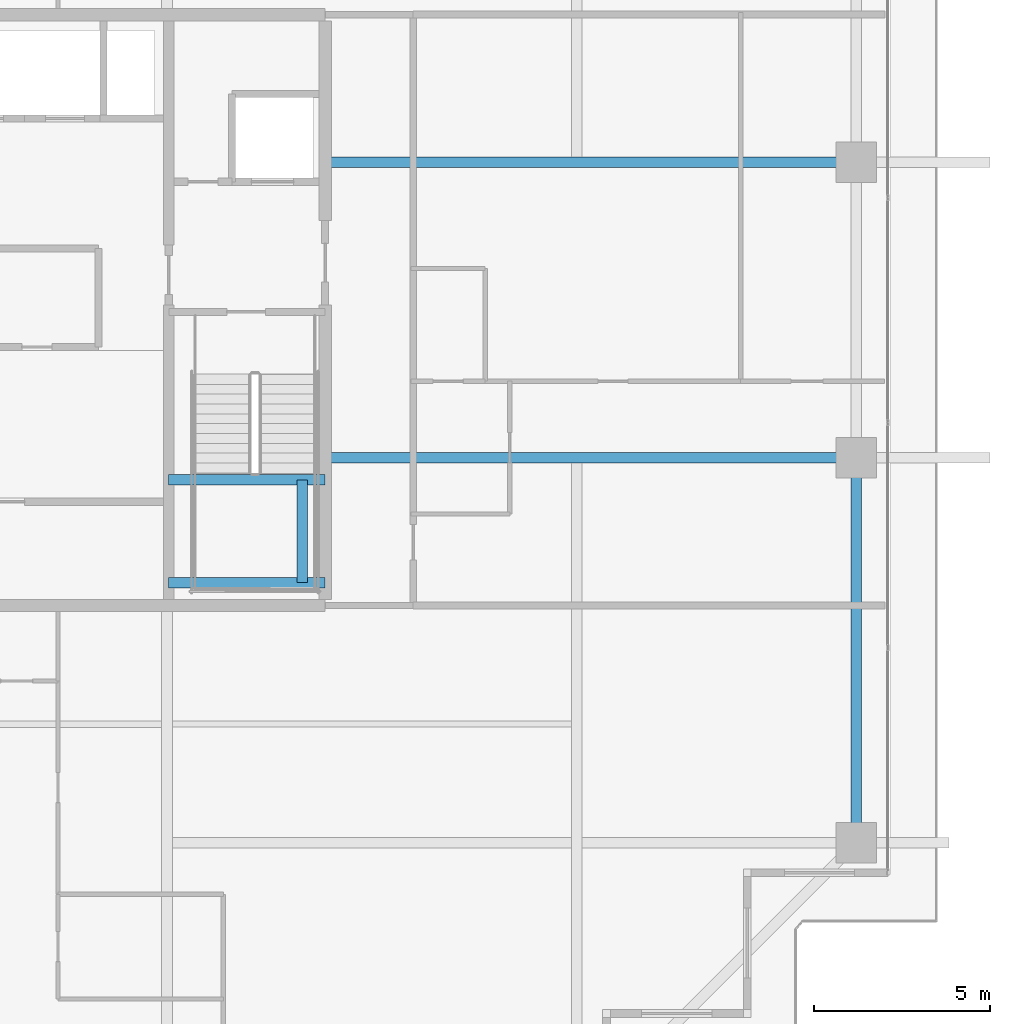
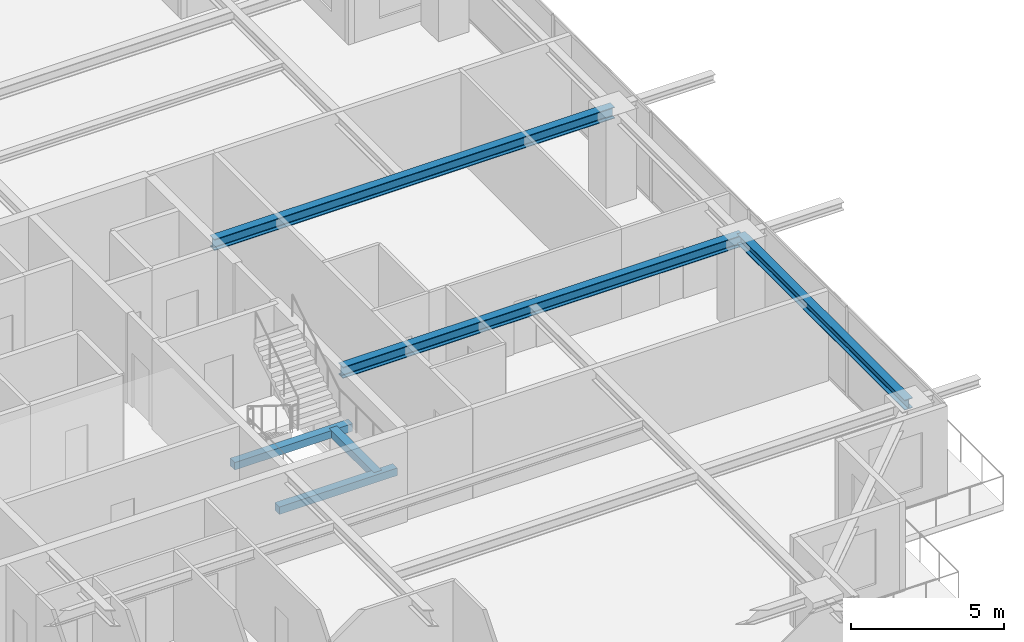
# One storey, part 15 of 36: 6 beams.
"""IFC4 building model written with IfcOpenShell, lengths in metres."""

from ifc_helpers import new_model, si_unit, direction, frame, origin, origin_2d, place, context, subcontext, project, spatial, rectangle, i_section, extrude, source, transform, mapped, material, material_profile, profile_set, type_object, element, save


model = new_model("IFC4")

# Units and contexts
model_context = context("Model", 3, precision=1e-05, world=origin(), true_north=direction((0.0, 1.0)))
body_context = subcontext(model_context, "Body", "Model", "MODEL_VIEW")
ifc_project = project(units=[si_unit("LENGTHUNIT", "METRE"), si_unit("AREAUNIT", "SQUARE_METRE"), si_unit("VOLUMEUNIT", "CUBIC_METRE"), si_unit("PLANEANGLEUNIT", "RADIAN"), si_unit("MASSUNIT", "GRAM", prefix="KILO")], contexts=[model_context])

# Site, building, storey
site_placement = place(None, origin())
site = spatial("IfcSite", under=ifc_project, at=site_placement, CompositionType="ELEMENT")
building_placement = place(site_placement, origin())
building = spatial("IfcBuilding", under=site, at=building_placement, Name="Serunith Strait Residences", CompositionType="ELEMENT")
storey_placement = place(building_placement, frame((0.0, 0.0, 225.85009765625)))
storey = spatial("IfcBuildingStorey", under=building, at=storey_placement, Name="L56", CompositionType="ELEMENT", Elevation=225.85009765625)

# Beams
ifc_material_1 = material(Name="Steel S355J2", Category="steel")
ifc_material_profile_1 = material_profile(ifc_material_1, i_section(OverallWidth=0.300048828125, OverallDepth=0.449951171875, WebThickness=0.013916015625, FlangeThickness=0.02587890625, FilletRadius=0.027099609375, at=origin_2d()), Name="HEB 450")
ifc_profile_set_1 = profile_set([ifc_material_profile_1], Name="Steel S355J2")
beam_type_1 = type_object("IfcBeamType", Name="BM-HEB450", PredefinedType="BEAM", material=ifc_profile_set_1)
shared_shape_1 = source(origin(), body_context, "Body", "SweptSolid", [
    extrude(i_section(OverallWidth=0.300048828125, OverallDepth=0.449951171875, WebThickness=0.013916015625, FlangeThickness=0.02587890625, FilletRadius=0.027099609375, at=origin_2d()), origin(), (0.0, 0.0, 1.0), 15.10009765625),
])
for number, where, z_axis, x_axis, name in (
    (1, (41.39990234375, 21.0, 3.36181640625), (1.0, 0.0, 0.0), (0.0, 1.0, 0.0), "L56 Primary Floor Girder TC-E2"),
    (2, (41.39990234375, 29.39990234375, 3.36181640625), (1.0, 0.0, 0.0), (0.0, 1.0, 0.0), "L56 Primary Floor Girder TC-E3"),
):
    element("IfcBeam", number, at=place(storey_placement, frame(where, z_axis=z_axis, x_axis=x_axis)), inside=storey, type_object=beam_type_1, Name=name, PredefinedType="BEAM", context=body_context, shape_type="MappedRepresentation", body=[
        mapped(shared_shape_1, transform((0.0, 0.0, 0.0), scale=1.0)),
    ])
ifc_material_profile_2 = material_profile(ifc_material_1, i_section(OverallWidth=0.300048828125, OverallDepth=0.39990234375, WebThickness=0.013427734375, FlangeThickness=0.02392578125, FilletRadius=0.027099609375, at=origin_2d()), Name="HEB 400")
ifc_profile_set_2 = profile_set([ifc_material_profile_2], Name="Steel S355J2")
beam_type_2 = type_object("IfcBeamType", Name="BM-HEB400", PredefinedType="BEAM", material=ifc_profile_set_2)
shared_shape_2 = source(origin(), body_context, "Body", "SweptSolid", [
    extrude(i_section(OverallWidth=0.300048828125, OverallDepth=0.39990234375, WebThickness=0.013427734375, FlangeThickness=0.02392578125, FilletRadius=0.027099609375, at=origin_2d()), origin(), (0.0, 0.0, 1.0), 10.949951171875),
])
beam_1_placement = place(storey_placement, frame((56.5, 10.050048828125, 3.386962890625), z_axis=(0.0, 1.0, 0.0), x_axis=(-1.0, 0.0, 0.0)))
element("IfcBeam", 3, at=beam_1_placement, inside=storey, type_object=beam_type_2, Name="L56 Perimeter Ring Beam 05", PredefinedType="BEAM", context=body_context, shape_type="MappedRepresentation", body=[
    mapped(shared_shape_2, transform((0.0, 0.0, 0.0), scale=1.0)),
])
ifc_material_2 = material(Name="Concrete C60/75", Category="concrete")
ifc_material_profile_3 = material_profile(ifc_material_2, rectangle(XDim=0.300048828125, YDim=0.300048828125, at=origin_2d()), Name="RC 300x300")
ifc_profile_set_3 = profile_set([ifc_material_profile_3], Name="Concrete C60/75")
beam_type_3 = type_object("IfcBeamType", Name="BM-LAND-300x300", PredefinedType="BEAM", material=ifc_profile_set_3)
shared_shape_3 = source(origin(), body_context, "Body", "SweptSolid", [
    extrude(rectangle(XDim=0.300048828125, YDim=0.300048828125, at=origin_2d()), origin(), (0.0, 0.0, 1.0), 4.449951171875),
])
for number, where, z_axis, x_axis, name in (
    (4, (36.949951171875, 17.449951171875, 1.574951171875), (1.0, 0.0, 0.0), (0.0, 1.0, 0.0), "L56 ST-2 Landing Support Beam 1"),
    (5, (36.949951171875, 20.3701171875, 1.574951171875), (1.0, 0.0, 0.0), (0.0, 1.0, 0.0), "L56 ST-2 Landing Support Beam 2"),
):
    element("IfcBeam", number, at=place(storey_placement, frame(where, z_axis=z_axis, x_axis=x_axis)), inside=storey, type_object=beam_type_3, Name=name, PredefinedType="BEAM", context=body_context, shape_type="MappedRepresentation", body=[
        mapped(shared_shape_3, transform((0.0, 0.0, 0.0), scale=1.0)),
    ])
shared_shape_4 = source(origin(), body_context, "Body", "SweptSolid", [
    extrude(rectangle(XDim=0.300048828125, YDim=0.300048828125, at=origin_2d()), origin(), (0.0, 0.0, 1.0), 2.920166015625),
])
beam_2_placement = place(storey_placement, frame((40.75, 17.449951171875, 1.574951171875), z_axis=(0.0, 1.0, 0.0), x_axis=(-1.0, 0.0, 0.0)))
element("IfcBeam", 6, at=beam_2_placement, inside=storey, type_object=beam_type_3, Name="L56 ST-2 Landing Transverse Tie Beam", PredefinedType="BEAM", context=body_context, shape_type="MappedRepresentation", body=[
    mapped(shared_shape_4, transform((0.0, 0.0, 0.0), scale=1.0)),
])

save(model, "model.ifc")
